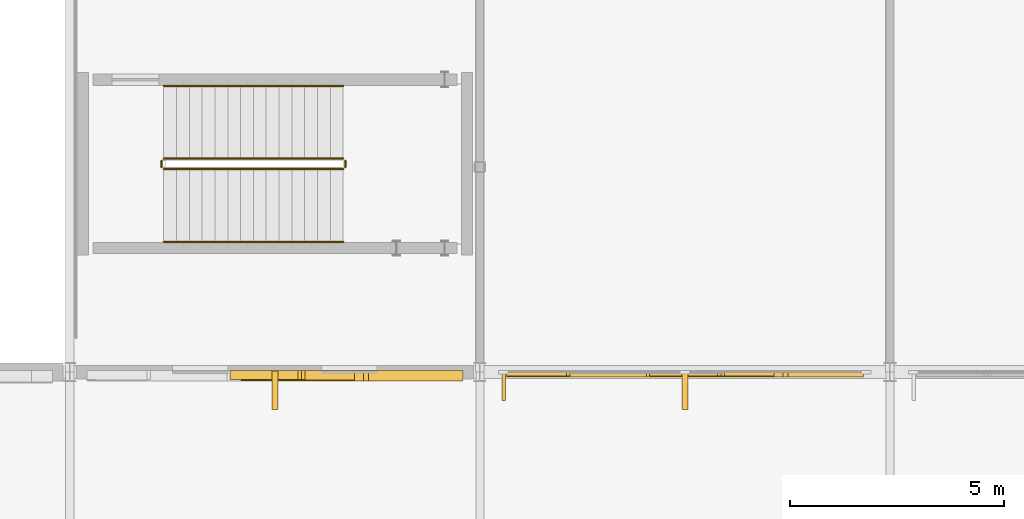
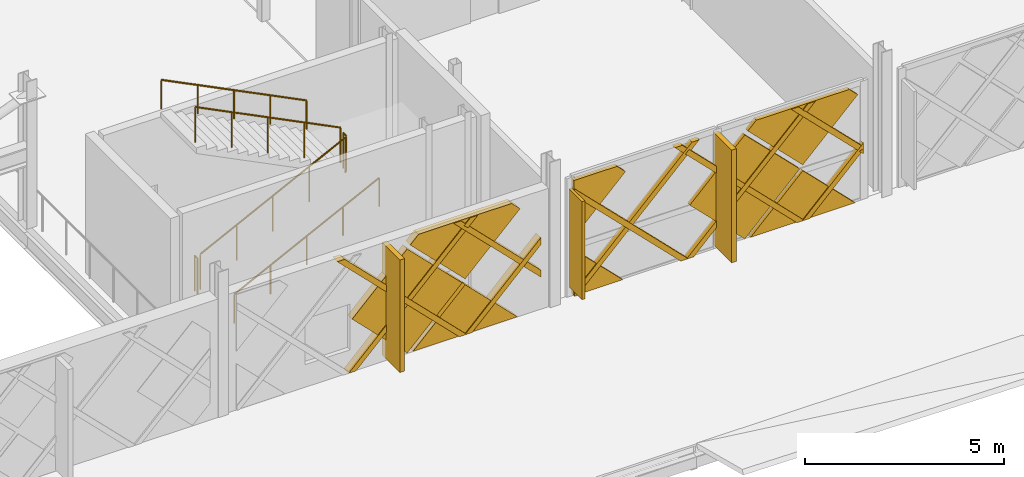
# One storey, part 76 of 101: 20 coverings, 6 railings, 1 shading device.
"""IFC4 building model written with IfcOpenShell, lengths in metres."""

from ifc_helpers import new_model, si_unit, direction, frame, origin, origin_2d, place, context, subcontext, project, spatial, polyline, rectangle, circle, outline, extrude, material, layer, layer_set, type_object, element, save


model = new_model("IFC4")

# Units and contexts
model_context = context("Model", 3, precision=1e-05, world=origin(), true_north=direction((0.0, 1.0)))
body_context = subcontext(model_context, "Body", "Model", "MODEL_VIEW")
ifc_project = project(units=[si_unit("LENGTHUNIT", "METRE"), si_unit("AREAUNIT", "SQUARE_METRE"), si_unit("VOLUMEUNIT", "CUBIC_METRE"), si_unit("PLANEANGLEUNIT", "RADIAN"), si_unit("MASSUNIT", "GRAM", prefix="KILO")], contexts=[model_context])

# Site, building, storey
site_placement = place(None, origin())
site = spatial("IfcSite", under=ifc_project, at=site_placement, CompositionType="ELEMENT")
building_placement = place(site_placement, origin())
building = spatial("IfcBuilding", under=site, at=building_placement, Name="Zevrakil Square Congress Hotel", CompositionType="ELEMENT")
storey_placement = place(building_placement, frame((0.0, 0.0, 5.39990234375)))
storey = spatial("IfcBuildingStorey", under=building, at=storey_placement, Name="L02", CompositionType="ELEMENT", Elevation=5.39990234375)

# Coverings
ifc_material_1 = material(Name="Architectural White Fibre-C GRC", Category="concrete")
ifc_layer_1 = layer(ifc_material_1, 0.06494140625)
ifc_layer_set_1 = layer_set([ifc_layer_1], Name="Architectural White Fibre-C GRC")
covering_type_1 = type_object("IfcCoveringType", Name="COV-DIA-WHITE", PredefinedType="CLADDING", material=ifc_layer_set_1)
covering_1_placement = place(storey_placement, frame((52.6201171875, 7.02099609375, 1.590087890625), z_axis=(0.0, -0.999999790873, 0.000646725815), x_axis=(0.707049537273, -0.000457341227, -0.707163872579)))
element("IfcCovering", 1, at=covering_1_placement, inside=storey, type_object=covering_type_1, Name="L02 45-degree white GRC diamond facade cassette 47", PredefinedType="CLADDING", context=body_context, shape_type="SweptSolid", body=[
    extrude(outline(polyline([(0.0, 0.0), (2.135303886660825, 0.0), (0.00017309405212095896, -2.1354765061406087), (0.0, 0.0)])), origin(), (0.0, 0.0, -1.0), 0.219970703125),
])
covering_2_placement = place(storey_placement, frame((50.93994140625, 7.02197265625, 3.27001953125), z_axis=(0.0, -0.999999811377, 0.000614203339), x_axis=(0.707161000837, -0.000434274042, -0.707052424012)))
element("IfcCovering", 2, at=covering_2_placement, inside=storey, type_object=covering_type_1, Name="L02 45-degree white GRC diamond facade cassette 48", PredefinedType="CLADDING", context=body_context, shape_type="SweptSolid", body=[
    extrude(outline(polyline([(0.0, 0.0), (2.2485514454867683, 0.0), (2.2483792228863573, -2.248724065739994), (-0.0001721960923970478, -2.248378798790573), (0.0, 0.0)])), origin(), (0.0, 0.0, -1.0), 0.219970703125),
])
covering_3_placement = place(storey_placement, frame((54.2099609375, 7.02197265625, 3.360107421875), z_axis=(0.0, -0.999999755768, 0.000698902334), x_axis=(-0.707052425261, -0.000494236566, -0.707160960223)))
element("IfcCovering", 3, at=covering_3_placement, inside=storey, type_object=covering_type_1, Name="L02 45-degree white GRC diamond facade cassette 50", PredefinedType="CLADDING", context=body_context, shape_type="SweptSolid", body=[
    extrude(outline(polyline([(0.0, 0.0), (2.248551441448924, 0.0), (2.248378378667278, -2.2487240616379562), (1.9020755173693096, -2.2486975204174864), (-2.6697950055970532e-05, -0.3463028612859209), (0.0, 0.0)])), origin(), (0.0, 0.0, -1.0), 0.219970703125),
])
covering_4_placement = place(storey_placement, frame((57.22998046875, 7.10498046875, 0.080078125), z_axis=(0.0, -0.999999760125, 0.000692640526), x_axis=(-1.0, 0.0, 0.0)))
element("IfcCovering", 4, at=covering_4_placement, inside=storey, type_object=covering_type_1, Name="L02 45-degree white GRC diamond facade cassette 72", PredefinedType="CLADDING", context=body_context, shape_type="SweptSolid", body=[
    extrude(outline(polyline([(0.0, 0.0), (1.409912109375, 0.0), (1.409912109375, -1.4099124475784228), (0.0, 0.0)])), origin(), (0.0, 0.0, -1.0), 0.1201171875),
])
covering_5_placement = place(storey_placement, frame((62.43994140625, 7.10595703125, 1.590087890625), z_axis=(0.0, -0.999999790873, 0.000646725815), x_axis=(0.707106707249, -0.000457304257, -0.707106707249)))
element("IfcCovering", 5, at=covering_5_placement, inside=storey, type_object=covering_type_1, Name="L02 45-degree white GRC diamond facade cassette 73", PredefinedType="CLADDING", context=body_context, shape_type="SweptSolid", body=[
    extrude(outline(polyline([(0.0, 0.0), (2.1354765131557993, 0.0), (4.465861884739297e-07, -2.1354765131557527), (0.0, 0.0)])), origin(), (0.0, 0.0, -1.0), 0.1201171875),
])
covering_6_placement = place(storey_placement, frame((60.760009765625, 7.10693359375, 3.27001953125), z_axis=(0.0, -0.999999811377, 0.000614203339), x_axis=(0.707161000837, -0.000434274042, -0.707052424012)))
element("IfcCovering", 6, at=covering_6_placement, inside=storey, type_object=covering_type_1, Name="L02 45-degree white GRC diamond facade cassette 74", PredefinedType="CLADDING", context=body_context, shape_type="SweptSolid", body=[
    extrude(outline(polyline([(0.0, 0.0), (2.2485514454867683, 0.0), (2.2483792228863573, -2.248724065739994), (-0.0003448428211170196, -2.248551419043839), (0.0, 0.0)])), origin(), (0.0, 0.0, -1.0), 0.1201171875),
])
covering_7_placement = place(storey_placement, frame((57.31005859375, 7.10693359375, 3.360107421875), z_axis=(-6.3817204e-05, -0.999999812707, 0.000608697323), x_axis=(-0.70710674138, -0.000385288462, -0.707106716025)))
element("IfcCovering", 7, at=covering_7_placement, inside=storey, type_object=covering_type_1, Name="L02 45-degree white GRC diamond facade cassette 75", PredefinedType="CLADDING", context=body_context, shape_type="SweptSolid", body=[
    extrude(outline(polyline([(0.0, 0.0), (2.107164523048957, 0.0), (0.8804306692337134, -1.2267337135238576), (0.00017254562600751977, -0.34647549439319403), (0.0, 0.0)])), origin(), (0.0, 0.0, -1.0), 0.1201171875),
])
covering_8_placement = place(storey_placement, frame((64.030029296875, 7.10693359375, 3.360107421875), z_axis=(0.0, -0.999999832179, 0.000579346068), x_axis=(-0.707106746172, -0.000409659554, -0.707106697534)))
element("IfcCovering", 8, at=covering_8_placement, inside=storey, type_object=covering_type_1, Name="L02 45-degree white GRC diamond facade cassette 76", PredefinedType="CLADDING", context=body_context, shape_type="SweptSolid", body=[
    extrude(outline(polyline([(0.0, 0.0), (2.2487239716392238, 0.0), (2.2485511154520332, -2.2485513381391633), (1.9022482605456785, -2.2485513919470725), (0.00017254537865349362, -0.34647548840639664), (0.0, 0.0)])), origin(), (0.0, 0.0, -1.0), 0.1201171875),
])
ifc_material_2 = material(Name="Anodised Champagne Aluminium", Category="aluminium")
ifc_layer_2 = layer(ifc_material_2, 0.0849609375)
ifc_layer_set_2 = layer_set([ifc_layer_2], Name="Anodised Champagne Aluminium")
covering_type_2 = type_object("IfcCoveringType", Name="COV-DIAGRID-45", PredefinedType="MOLDING", material=ifc_layer_set_2)
covering_9_placement = place(storey_placement, frame((49.446044921875, 6.9951171875, 0.080078125), z_axis=(0.0, -0.999999805714, 0.000623354914), x_axis=(-1.0, 0.0, 0.0)))
element("IfcCovering", 9, at=covering_9_placement, inside=storey, type_object=covering_type_2, Name="L02 45-degree aluminium diagrid rib 52", PredefinedType="MOLDING", context=body_context, shape_type="SweptSolid", body=[
    extrude(outline(polyline([(0.0, 0.0), (0.212158203125, 0.0), (-3.312744140625, -3.524903028588229), (-3.525146484375, -3.524903028588229), (0.0, 0.0)])), origin(), (0.0, 0.0, -1.0), 0.2451171875),
])
covering_10_placement = place(storey_placement, frame((52.80615234375, 6.9951171875, 0.080078125), z_axis=(-0.000313791586, -0.99999960052, 0.000836955941), x_axis=(-0.999999950767, 0.000313791476, -2.6263e-07)))
element("IfcCovering", 10, at=covering_10_placement, inside=storey, type_object=covering_type_2, Name="L02 45-degree aluminium diagrid rib 53", PredefinedType="MOLDING", context=body_context, shape_type="SweptSolid", body=[
    extrude(outline(polyline([(0.0, 0.0), (0.21215819267990413, 0.0), (-1.9938965825396746, -2.20605493650916), (-1.9938966034298669, -1.9938966033571301), (0.0, 0.0)])), origin(), (0.0, 0.0, -1.0), 0.2451171875),
])
covering_11_placement = place(storey_placement, frame((48.908935546875, 6.997314453125, 3.60498046875), z_axis=(0.0, -0.999999805714, 0.000623354914), x_axis=(1.0, 0.0, 0.0)))
element("IfcCovering", 11, at=covering_11_placement, inside=storey, type_object=covering_type_2, Name="L02 45-degree aluminium diagrid rib 55", PredefinedType="MOLDING", context=body_context, shape_type="SweptSolid", body=[
    extrude(outline(polyline([(0.0, 0.0), (0.212158203125, 0.0), (3.737060546875, -3.5249030285882292), (3.52490234375, -3.5249030285882292), (0.0, 0.0)])), origin(), (0.0, 0.0, -1.0), 0.2451171875),
])
covering_12_placement = place(storey_placement, frame((52.268798828125, 6.997314453125, 3.60498046875), z_axis=(0.000248016281, -0.99999956204, 0.000902445797), x_axis=(0.999999969244, 0.00024801618, -2.23821e-07)))
element("IfcCovering", 12, at=covering_12_placement, inside=storey, type_object=covering_type_2, Name="L02 45-degree aluminium diagrid rib 56", PredefinedType="MOLDING", context=body_context, shape_type="SweptSolid", body=[
    extrude(outline(polyline([(0.0, 0.0), (0.21240233721734536, -5.62224322594636e-24), (2.5312500778512246, -2.3188480339473516), (2.531250064785915, -2.5310063710043034), (0.0, 0.0)])), origin(), (0.0, 0.0, -1.0), 0.2451171875),
])
covering_13_placement = place(storey_placement, frame((55.906005859375, 7.080078125, 0.080078125), z_axis=(0.000187420889, -0.999999884475, 0.000442632313), x_axis=(-0.999999982437, -0.000187420871, 8.2959e-08)))
element("IfcCovering", 13, at=covering_13_placement, inside=storey, type_object=covering_type_2, Name="L02 45-degree aluminium diagrid rib 77", PredefinedType="MOLDING", context=body_context, shape_type="SweptSolid", body=[
    extrude(outline(polyline([(0.0, 0.0), (0.08593749849065434, 0.0), (0.08593750896174, -0.12622069076020653), (-3.3129883424556827, -3.5249029710253903), (-3.5251465418544856, -3.5249029710253903), (0.0, 0.0)])), origin(), (0.0, 0.0, -1.0), 0.14501953125),
])
covering_14_placement = place(storey_placement, frame((59.26611328125, 7.080078125, 0.080078125), z_axis=(0.0, -0.999999805714, 0.000623354914), x_axis=(-1.0, 0.0, 0.0)))
element("IfcCovering", 14, at=covering_14_placement, inside=storey, type_object=covering_type_2, Name="L02 45-degree aluminium diagrid rib 78", PredefinedType="MOLDING", context=body_context, shape_type="SweptSolid", body=[
    extrude(outline(polyline([(0.0, 0.0), (0.212158203125, 0.0), (-3.312744140625, -3.5249030285882292), (-3.52490234375, -3.5249030285882292), (0.0, 0.0)])), origin(), (0.0, 0.0, -1.0), 0.14501953125),
])
covering_15_placement = place(storey_placement, frame((62.626220703125, 7.080078125, 0.080078125), z_axis=(0.000293980909, -0.999999913476, 0.000294319207), x_axis=(-0.999999956788, -0.000293980897, 8.6524e-08)))
element("IfcCovering", 15, at=covering_15_placement, inside=storey, type_object=covering_type_2, Name="L02 45-degree aluminium diagrid rib 79", PredefinedType="MOLDING", context=body_context, shape_type="SweptSolid", body=[
    extrude(outline(polyline([(0.0, 0.0), (0.21240233457158741, 0.0), (-1.5537110046395635, -1.7661134921773871), (-1.553711022996389, -1.5539552982413625), (0.0, 0.0)])), origin(), (0.0, 0.0, -1.0), 0.14501953125),
])
covering_16_placement = place(storey_placement, frame((55.820068359375, 7.081787109375, 3.154052734375), z_axis=(0.000287317256, -0.999999586254, 0.000863099624), x_axis=(8.2646e-08, 0.000863099684, 0.999999627529)))
element("IfcCovering", 16, at=covering_16_placement, inside=storey, type_object=covering_type_2, Name="L02 45-degree aluminium diagrid rib 80", PredefinedType="MOLDING", context=body_context, shape_type="SweptSolid", body=[
    extrude(outline(polyline([(0.0, 0.0), (0.212158334820002, 0.0), (-3.0739746678474664, -3.286133202189314), (-3.0739746854017027, -3.07373086720635), (0.0, 0.0)])), origin(), (0.0, 0.0, -1.0), 0.14501953125),
])
covering_17_placement = place(storey_placement, frame((58.72900390625, 7.082275390625, 3.60498046875), z_axis=(0.0, -0.999999805714, 0.000623354914), x_axis=(1.0, 0.0, 0.0)))
element("IfcCovering", 17, at=covering_17_placement, inside=storey, type_object=covering_type_2, Name="L02 45-degree aluminium diagrid rib 81", PredefinedType="MOLDING", context=body_context, shape_type="SweptSolid", body=[
    extrude(outline(polyline([(0.0, 0.0), (0.212158203125, 0.0), (3.737060546875, -3.5249030285882292), (3.52490234375, -3.5249030285882292), (0.0, 0.0)])), origin(), (0.0, 0.0, -1.0), 0.14501953125),
])
covering_18_placement = place(storey_placement, frame((62.0888671875, 7.082275390625, 3.60498046875), z_axis=(0.000236587851, -0.999999555129, 0.000913108865), x_axis=(0.999999972013, 0.000236587752, -2.1603e-07)))
element("IfcCovering", 18, at=covering_18_placement, inside=storey, type_object=covering_type_2, Name="L02 45-degree aluminium diagrid rib 82", PredefinedType="MOLDING", context=body_context, shape_type="SweptSolid", body=[
    extrude(outline(polyline([(0.0, 0.0), (0.21215819718734832, -5.6157808774107894e-24), (2.091064511647426, -1.878662440825683), (2.091064499772122, -2.0910649189555177), (0.0, 0.0)])), origin(), (0.0, 0.0, -1.0), 0.14501953125),
])
ifc_material_3 = material(Name="Architectural White Fibre-C GRC", Category="concrete")
ifc_layer_3 = layer(ifc_material_3, 0.139892578125)
ifc_layer_set_3 = layer_set([ifc_layer_3], Name="Architectural White Fibre-C GRC")
covering_type_3 = type_object("IfcCoveringType", Name="COV-FIN-GRC90", PredefinedType="MOLDING", material=ifc_layer_set_3)
for number, where, z_axis, x_axis, name in (
    (19, (50.39990234375, 6.780029296875, 0.1201171875), (0.0, 0.0, 1.0), (0.0, -1.0, 0.0), "L02 highland sun-breaker GRC fin 57"),
    (20, (60.0, 6.780029296875, 0.1201171875), (0.0, 0.0, 1.0), (0.0, -1.0, 0.0), "L02 highland sun-breaker GRC fin 83"),
):
    element("IfcCovering", number, at=place(storey_placement, frame(where, z_axis=z_axis, x_axis=x_axis)), inside=storey, type_object=covering_type_3, Name=name, PredefinedType="MOLDING", context=body_context, shape_type="SweptSolid", body=[
        extrude(rectangle(XDim=0.89990234375, YDim=0.139892578125, at=origin_2d()), origin(), (0.0, 0.0, 1.0), 3.445068359375),
    ])

# Railings
ifc_material_4 = material(Name="Steel S355", Category="steel")
railing_type_1 = type_object("IfcRailingType", Name="RLG-STAIR-GUARD-1100", PredefinedType="BALUSTRADE", material=ifc_material_4)
railing_1_placement = place(storey_placement, frame((47.800048828125, 11.949951171875, 0.150146484375)))
element("IfcRailing", 21, at=railing_1_placement, inside=storey, type_object=railing_type_1, Name="L02 ST12 stair guard 1", PredefinedType="BALUSTRADE", context=body_context, shape_type="SweptSolid", body=[
    extrude(circle(Radius=0.02392578125, at=origin_2d()), frame((0.0, 0.0, 1.076171875), z_axis=(0.894437589381, 0.0, 0.447192798132), x_axis=(0.0, 1.0, 0.0)), (0.0, 0.0, 1.0), 4.695556640625),
    extrude(circle(Radius=0.02099609375, at=origin_2d()), origin(), (0.0, 0.0, 1.0), 1.052001953125),
    extrude(circle(Radius=0.02099609375, at=origin_2d()), frame((1.050048828125, 0.0, 0.52490234375)), (0.0, 0.0, 1.0), 1.052001953125),
    extrude(circle(Radius=0.02099609375, at=origin_2d()), frame((2.10009765625, 0.0, 1.0498046875)), (0.0, 0.0, 1.0), 1.052001953125),
    extrude(circle(Radius=0.02099609375, at=origin_2d()), frame((3.14990234375, 0.0, 1.574951171875)), (0.0, 0.0, 1.0), 1.052001953125),
    extrude(circle(Radius=0.02099609375, at=origin_2d()), frame((4.199951171875, 0.0, 2.099853515625)), (0.0, 0.0, 1.0), 1.052001953125),
])
railing_2_placement = place(storey_placement, frame((52.050048828125, 12.0, 2.25)))
element("IfcRailing", 22, at=railing_2_placement, inside=storey, type_object=railing_type_1, Name="L02 ST12 stair guard 2", PredefinedType="BALUSTRADE", context=body_context, shape_type="SweptSolid", body=[
    extrude(circle(Radius=0.02392578125, at=origin_2d()), frame((0.0, 0.0, 1.076171875), z_axis=(0.0, 1.0, 0.0), x_axis=(-1.0, 0.0, 0.0)), (0.0, 0.0, 1.0), 0.14990234375),
    extrude(circle(Radius=0.02099609375, at=origin_2d()), origin(), (0.0, 0.0, 1.0), 1.052001953125),
    extrude(circle(Radius=0.02099609375, at=origin_2d()), frame((0.0, 0.14990234375, 0.0)), (0.0, 0.0, 1.0), 1.052001953125),
])
railing_3_placement = place(storey_placement, frame((52.0, 12.199951171875, 2.400146484375)))
element("IfcRailing", 23, at=railing_3_placement, inside=storey, type_object=railing_type_1, Name="L02 ST12 stair guard 3", PredefinedType="BALUSTRADE", context=body_context, shape_type="SweptSolid", body=[
    extrude(circle(Radius=0.02392578125, at=origin_2d()), frame((0.0, 0.0, 1.076171875), z_axis=(-0.894437589381, 0.0, 0.447192798132), x_axis=(0.0, -1.0, 0.0)), (0.0, 0.0, 1.0), 4.695556640625),
    extrude(circle(Radius=0.02099609375, at=origin_2d()), origin(), (0.0, 0.0, 1.0), 1.052001953125),
    extrude(circle(Radius=0.02099609375, at=origin_2d()), frame((-1.050048828125, 0.0, 0.52490234375)), (0.0, 0.0, 1.0), 1.052001953125),
    extrude(circle(Radius=0.02099609375, at=origin_2d()), frame((-2.10009765625, 0.0, 1.0498046875)), (0.0, 0.0, 1.0), 1.052001953125),
    extrude(circle(Radius=0.02099609375, at=origin_2d()), frame((-3.14990234375, 0.0, 1.574951171875)), (0.0, 0.0, 1.0), 1.052001953125),
    extrude(circle(Radius=0.02099609375, at=origin_2d()), frame((-4.199951171875, 0.0, 2.099853515625)), (0.0, 0.0, 1.0), 1.052001953125),
])
railing_4_placement = place(storey_placement, frame((47.75, 12.0, 0.0)))
element("IfcRailing", 24, at=railing_4_placement, inside=storey, type_object=railing_type_1, Name="L02 ST12 stair guard 4", PredefinedType="BALUSTRADE", context=body_context, shape_type="SweptSolid", body=[
    extrude(circle(Radius=0.02392578125, at=origin_2d()), frame((0.0, 0.0, 1.076171875), z_axis=(0.0, 1.0, 0.0), x_axis=(-1.0, 0.0, 0.0)), (0.0, 0.0, 1.0), 0.14990234375),
    extrude(circle(Radius=0.02099609375, at=origin_2d()), origin(), (0.0, 0.0, 1.0), 1.052001953125),
    extrude(circle(Radius=0.02099609375, at=origin_2d()), frame((0.0, 0.14990234375, 0.0)), (0.0, 0.0, 1.0), 1.052001953125),
])
ifc_material_5 = material(Name="Steel S355", Category="steel")
railing_type_2 = type_object("IfcRailingType", Name="RLG-STAIR-HAND-900", PredefinedType="HANDRAIL", material=ifc_material_5)
railing_5_placement = place(storey_placement, frame((47.800048828125, 10.25, 0.150146484375)))
element("IfcRailing", 25, at=railing_5_placement, inside=storey, type_object=railing_type_2, Name="L02 ST12 stair handrail 1", PredefinedType="HANDRAIL", context=body_context, shape_type="SweptSolid", body=[
    extrude(circle(Radius=0.02392578125, at=origin_2d()), frame((0.0, 0.0, 0.8759765625), z_axis=(0.894437589381, 0.0, 0.447192798132), x_axis=(0.0, 1.0, 0.0)), (0.0, 0.0, 1.0), 4.695556640625),
    extrude(circle(Radius=0.02099609375, at=origin_2d()), origin(), (0.0, 0.0, 1.0), 0.851806640625),
    extrude(circle(Radius=0.02099609375, at=origin_2d()), frame((1.050048828125, 0.0, 0.52490234375)), (0.0, 0.0, 1.0), 0.851806640625),
    extrude(circle(Radius=0.02099609375, at=origin_2d()), frame((2.10009765625, 0.0, 1.0498046875)), (0.0, 0.0, 1.0), 0.851806640625),
    extrude(circle(Radius=0.02099609375, at=origin_2d()), frame((3.14990234375, 0.0, 1.574951171875)), (0.0, 0.0, 1.0), 0.851806640625),
    extrude(circle(Radius=0.02099609375, at=origin_2d()), frame((4.199951171875, 0.0, 2.099853515625)), (0.0, 0.0, 1.0), 0.851806640625),
])
railing_6_placement = place(storey_placement, frame((52.0, 13.89990234375, 2.400146484375)))
element("IfcRailing", 26, at=railing_6_placement, inside=storey, type_object=railing_type_2, Name="L02 ST12 stair handrail 2", PredefinedType="HANDRAIL", context=body_context, shape_type="SweptSolid", body=[
    extrude(circle(Radius=0.02392578125, at=origin_2d()), frame((0.0, 0.0, 0.8759765625), z_axis=(-0.894437589381, 0.0, 0.447192798132), x_axis=(0.0, -1.0, 0.0)), (0.0, 0.0, 1.0), 4.695556640625),
    extrude(circle(Radius=0.02099609375, at=origin_2d()), origin(), (0.0, 0.0, 1.0), 0.851806640625),
    extrude(circle(Radius=0.02099609375, at=origin_2d()), frame((-1.050048828125, 0.0, 0.52490234375)), (0.0, 0.0, 1.0), 0.851806640625),
    extrude(circle(Radius=0.02099609375, at=origin_2d()), frame((-2.10009765625, 0.0, 1.0498046875)), (0.0, 0.0, 1.0), 0.851806640625),
    extrude(circle(Radius=0.02099609375, at=origin_2d()), frame((-3.14990234375, 0.0, 1.574951171875)), (0.0, 0.0, 1.0), 0.851806640625),
    extrude(circle(Radius=0.02099609375, at=origin_2d()), frame((-4.199951171875, 0.0, 2.099853515625)), (0.0, 0.0, 1.0), 0.851806640625),
])

# Shading device
ifc_material_6 = material(Name="Aluminium Anodised Bronze", Category="aluminium")
shading_device_type = type_object("IfcShadingDeviceType", Name="SHD-FIN-65", PredefinedType="USERDEFINED", material=ifc_material_6)
shading_device_placement = place(storey_placement, frame((55.760009765625, 6.85498046875, 0.342529296875), z_axis=(0.0, 0.0, 1.0), x_axis=(0.0, -1.0, 0.0)))
element("IfcShadingDevice", 27, at=shading_device_placement, inside=storey, type_object=shading_device_type, Name="L02 aluminium solar shading fin 5", ObjectType="SOLAR FIN", PredefinedType="USERDEFINED", context=body_context, shape_type="SweptSolid", body=[
    extrude(rectangle(XDim=0.64990234375, YDim=0.080078125, at=origin_2d()), origin(), (0.0, 0.0, 1.0), 3.0),
])

save(model, "model.ifc")
